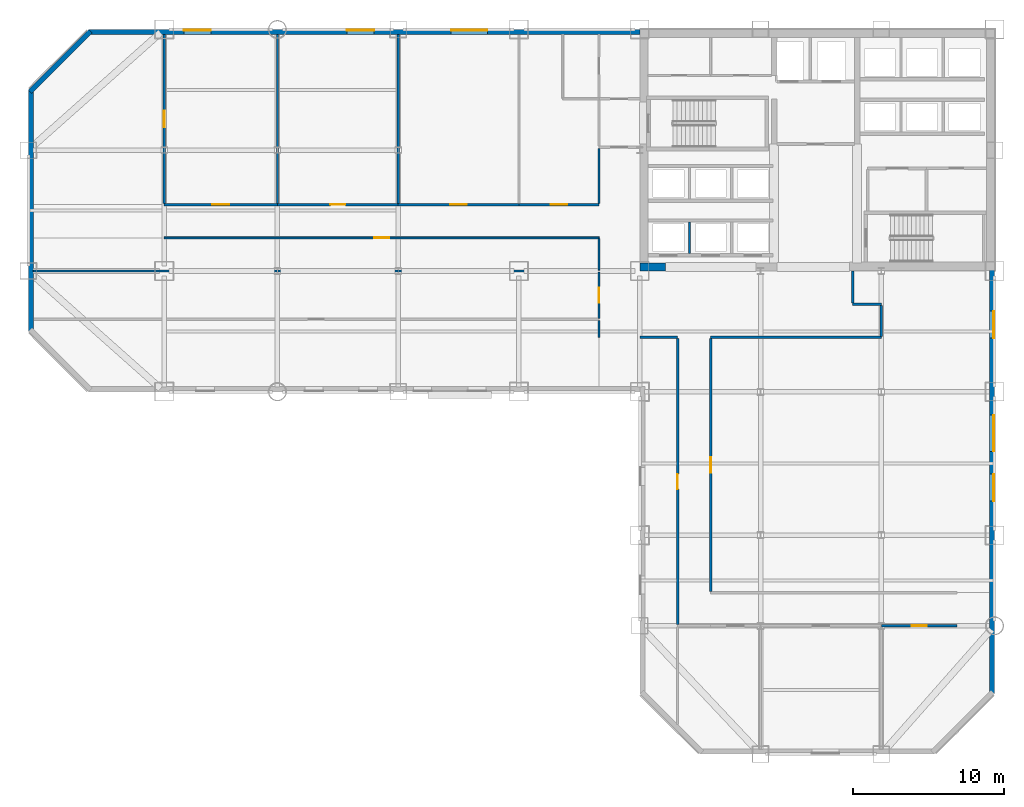
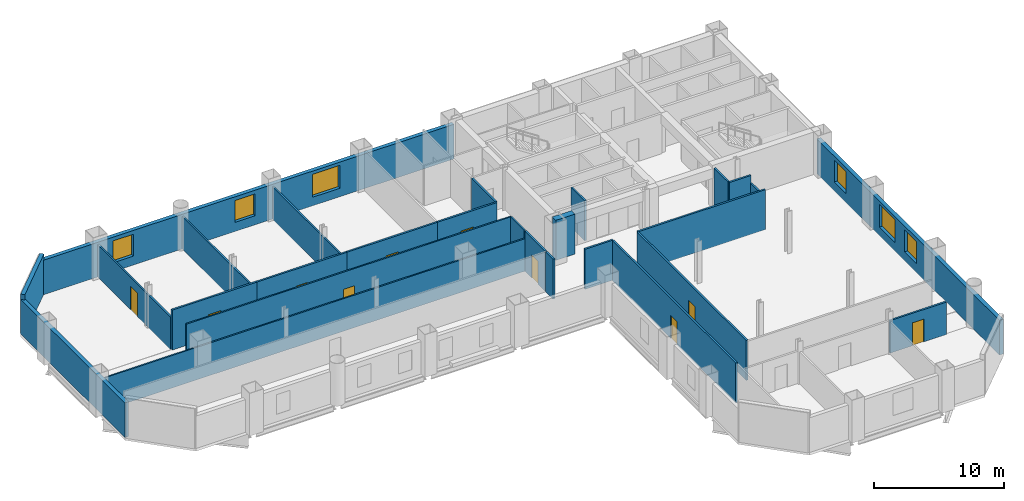
# One storey, part 5 of 9: 27 walls, 10 doors, 6 windows, 16 openings.
"""IFC4 building model written with IfcOpenShell, lengths in metres."""

from ifc_helpers import new_model, si_unit, direction, frame, frame_2d, origin, place, context, subcontext, project, spatial, rectangle, extrude, material, layer, layer_set, type_object, element, fill, save


model = new_model("IFC4")

# Units and contexts
model_context = context("Model", 3, precision=1e-05, world=origin(), true_north=direction((0.0, 1.0)))
body_context = subcontext(model_context, "Body", "Model", "MODEL_VIEW")
ifc_project = project(units=[si_unit("LENGTHUNIT", "METRE"), si_unit("AREAUNIT", "SQUARE_METRE"), si_unit("VOLUMEUNIT", "CUBIC_METRE"), si_unit("PLANEANGLEUNIT", "RADIAN"), si_unit("MASSUNIT", "GRAM", prefix="KILO")], contexts=[model_context])

# Site, building, storey
site_placement = place(None, origin())
site = spatial("IfcSite", under=ifc_project, at=site_placement, CompositionType="ELEMENT")
building_placement = place(site_placement, origin())
building = spatial("IfcBuilding", under=site, at=building_placement, Name="Qianrong Seaharbour Tower", CompositionType="ELEMENT")
storey_placement = place(building_placement, frame((0.0, 0.0, 52.199951171875)))
storey = spatial("IfcBuildingStorey", under=building, at=storey_placement, Name="L12", CompositionType="ELEMENT", Elevation=52.199951171875)

# Wall
ifc_material_1 = material(Name="Concrete C70/85", Category="concrete")
ifc_layer_1 = layer(ifc_material_1, 0.5400390625)
ifc_layer_set_1 = layer_set([ifc_layer_1], Name="Concrete C70/85")
wall_type_1 = type_object("IfcWallType", Name="WALL-CORE-540", PredefinedType="SHEAR", material=ifc_layer_set_1)
wall_1_placement = place(storey_placement, frame((40.5, 36.27001953125, 0.0), z_axis=(0.0, 0.0, 1.0), x_axis=(1.0, 0.0, 0.0)))
element("IfcWall", 1, at=wall_1_placement, inside=storey, type_object=wall_type_1, Name="L12 South Core Shear Wall S1", PredefinedType="SHEAR", context=body_context, shape_type="SweptSolid", body=[
    extrude(rectangle(XDim=1.699951171875, YDim=0.5400390625, at=frame_2d((0.85009765625, 0.0))), origin(), (0.0, 0.0, 1.0), 3.75),
])

# Wall, opening, door
ifc_material_2 = material(Name="Fire-rated acoustic gypsum board partition")
ifc_layer_2 = layer(ifc_material_2, 0.1650390625)
ifc_layer_set_2 = layer_set([ifc_layer_2], Name="Fire-rated acoustic gypsum board partition")
wall_type_2 = type_object("IfcWallType", Name="WALL-CORR-PART-165", PredefinedType="PARTITIONING", material=ifc_layer_set_2)
wall_2_placement = place(storey_placement, frame((9.0, 40.39990234375, 0.0), z_axis=(0.0, 0.0, 1.0), x_axis=(1.0, 0.0, 0.0)))
wall_2 = element("IfcWall", 2, at=wall_2_placement, inside=storey, type_object=wall_type_2, Name="L12 Interior Partition Wall 015", PredefinedType="PARTITIONING", context=body_context, shape_type="SweptSolid", body=[
    extrude(rectangle(XDim=7.5, YDim=0.1650390625, at=frame_2d((3.75, 0.0))), origin(), (0.0, 0.0, 1.0), 3.75),
])
opening_1_placement = place(wall_2_placement, frame((3.199951171875, 0.0, 0.0)))
opening_1 = element("IfcOpeningElement", 3, at=opening_1_placement, cuts=wall_2, Name="Opening DM-01", PredefinedType="OPENING", context=body_context, shape_type="SweptSolid", body=[
    extrude(rectangle(XDim=1.10009765625, YDim=2.199951171875, at=frame_2d((0.550048828125, 1.10009765625))), frame((0.0, 0.092529296875, 0.0), z_axis=(0.0, -1.0, 0.0), x_axis=(1.0, 0.0, 0.0)), (0.0, 0.0, 1.0), 0.18505859375),
])
ifc_material_3 = material(Name="Acoustic timber and galvanized steel fire door assembly", Category="steel")
door_type_1 = type_object("IfcDoorType", Name="DOOR-MEET-1100x2200", OperationType="NOTDEFINED", PredefinedType="DOOR", material=ifc_material_3)
door_1_placement = place(opening_1_placement, origin())
door_1 = element("IfcDoor", 4, at=door_1_placement, inside=storey, type_object=door_type_1, Name="L12 Meeting Room 2 Door", OperationType="SINGLE_SWING_RIGHT", OverallHeight=2.199951171875, OverallWidth=1.10009765625, PredefinedType="DOOR", context=body_context, shape_type="SweptSolid", body=[
    extrude(rectangle(XDim=1.10009765625, YDim=2.199951171875, at=frame_2d((0.550048828125, 1.10009765625))), frame((0.0, 0.02490234375, 0.0), z_axis=(0.0, -1.0, 0.0), x_axis=(1.0, 0.0, 0.0)), (0.0, 0.0, 1.0), 0.050048828125),
])
fill(opening_1, door_1)

wall_3_placement = place(storey_placement, frame((16.5, 40.39990234375, 0.0), z_axis=(0.0, 0.0, 1.0), x_axis=(1.0, 0.0, 0.0)))
wall_3 = element("IfcWall", 5, at=wall_3_placement, inside=storey, type_object=wall_type_2, Name="L12 Interior Partition Wall 016", PredefinedType="PARTITIONING", context=body_context, shape_type="SweptSolid", body=[
    extrude(rectangle(XDim=8.0, YDim=0.1650390625, at=frame_2d((4.0, 0.0))), origin(), (0.0, 0.0, 1.0), 3.75),
])
opening_2_placement = place(wall_3_placement, frame((3.5, 0.0, 0.0)))
opening_2 = element("IfcOpeningElement", 6, at=opening_2_placement, cuts=wall_3, Name="Opening DO-01", PredefinedType="OPENING", context=body_context, shape_type="SweptSolid", body=[
    extrude(rectangle(XDim=1.0, YDim=2.14990234375, at=frame_2d((0.5, 1.074951171875))), frame((0.0, 0.092529296875, 0.0), z_axis=(0.0, -1.0, 0.0), x_axis=(1.0, 0.0, 0.0)), (0.0, 0.0, 1.0), 0.18505859375),
])
door_type_2 = type_object("IfcDoorType", Name="DOOR-OFFICE-1000x2150", OperationType="NOTDEFINED", PredefinedType="DOOR", material=ifc_material_3)
door_2_placement = place(opening_2_placement, origin())
door_2 = element("IfcDoor", 7, at=door_2_placement, inside=storey, type_object=door_type_2, Name="L12 Project Library 3 Door", OperationType="SINGLE_SWING_LEFT", OverallHeight=2.14990234375, OverallWidth=1.0, PredefinedType="DOOR", context=body_context, shape_type="SweptSolid", body=[
    extrude(rectangle(XDim=1.0, YDim=2.14990234375, at=frame_2d((0.5, 1.074951171875))), frame((0.0, 0.02490234375, 0.0), z_axis=(0.0, -1.0, 0.0), x_axis=(1.0, 0.0, 0.0)), (0.0, 0.0, 1.0), 0.050048828125),
])
fill(opening_2, door_2)

wall_4_placement = place(storey_placement, frame((24.5, 40.39990234375, 0.0), z_axis=(0.0, 0.0, 1.0), x_axis=(1.0, 0.0, 0.0)))
wall_4 = element("IfcWall", 8, at=wall_4_placement, inside=storey, type_object=wall_type_2, Name="L12 Interior Partition Wall 017", PredefinedType="PARTITIONING", context=body_context, shape_type="SweptSolid", body=[
    extrude(rectangle(XDim=8.0, YDim=0.1650390625, at=frame_2d((4.0, 0.0))), origin(), (0.0, 0.0, 1.0), 3.75),
])
opening_3_placement = place(wall_4_placement, frame((3.449951171875, 0.0, 0.0)))
opening_3 = element("IfcOpeningElement", 9, at=opening_3_placement, cuts=wall_4, Name="Opening DM-01", PredefinedType="OPENING", context=body_context, shape_type="SweptSolid", body=[
    extrude(rectangle(XDim=1.10009765625, YDim=2.199951171875, at=frame_2d((0.550048828125, 1.10009765625))), frame((0.0, 0.092529296875, 0.0), z_axis=(0.0, -1.0, 0.0), x_axis=(1.0, 0.0, 0.0)), (0.0, 0.0, 1.0), 0.18505859375),
])
door_3_placement = place(opening_3_placement, origin())
door_3 = element("IfcDoor", 10, at=door_3_placement, inside=storey, type_object=door_type_1, Name="L12 Training Seminar Room 4 Door", OperationType="SINGLE_SWING_RIGHT", OverallHeight=2.199951171875, OverallWidth=1.10009765625, PredefinedType="DOOR", context=body_context, shape_type="SweptSolid", body=[
    extrude(rectangle(XDim=1.10009765625, YDim=2.199951171875, at=frame_2d((0.550048828125, 1.10009765625))), frame((0.0, 0.02490234375, 0.0), z_axis=(0.0, -1.0, 0.0), x_axis=(1.0, 0.0, 0.0)), (0.0, 0.0, 1.0), 0.050048828125),
])
fill(opening_3, door_3)

wall_5_placement = place(storey_placement, frame((32.5, 40.39990234375, 0.0), z_axis=(0.0, 0.0, 1.0), x_axis=(1.0, 0.0, 0.0)))
wall_5 = element("IfcWall", 11, at=wall_5_placement, inside=storey, type_object=wall_type_2, Name="L12 Interior Partition Wall 018", PredefinedType="PARTITIONING", context=body_context, shape_type="SweptSolid", body=[
    extrude(rectangle(XDim=5.300048828125, YDim=0.1650390625, at=frame_2d((2.64990234375, 0.0))), origin(), (0.0, 0.0, 1.0), 3.75),
])
opening_4_placement = place(wall_5_placement, frame((2.10009765625, 0.0, 0.0)))
opening_4 = element("IfcOpeningElement", 12, at=opening_4_placement, cuts=wall_5, Name="Opening DM-01", PredefinedType="OPENING", context=body_context, shape_type="SweptSolid", body=[
    extrude(rectangle(XDim=1.10009765625, YDim=2.199951171875, at=frame_2d((0.550048828125, 1.10009765625))), frame((0.0, 0.092529296875, 0.0), z_axis=(0.0, -1.0, 0.0), x_axis=(1.0, 0.0, 0.0)), (0.0, 0.0, 1.0), 0.18505859375),
])
door_4_placement = place(opening_4_placement, origin())
door_4 = element("IfcDoor", 13, at=door_4_placement, inside=storey, type_object=door_type_1, Name="L12 Boardroom 5 Door", OperationType="SINGLE_SWING_LEFT", OverallHeight=2.199951171875, OverallWidth=1.10009765625, PredefinedType="DOOR", context=body_context, shape_type="SweptSolid", body=[
    extrude(rectangle(XDim=1.10009765625, YDim=2.199951171875, at=frame_2d((0.550048828125, 1.10009765625))), frame((0.0, 0.02490234375, 0.0), z_axis=(0.0, -1.0, 0.0), x_axis=(1.0, 0.0, 0.0)), (0.0, 0.0, 1.0), 0.050048828125),
])
fill(opening_4, door_4)

# Walls
wall_6_placement = place(storey_placement, frame((37.800048828125, 40.474609375, 0.0), z_axis=(0.0, 0.0, 1.0), x_axis=(0.0, 1.0, 0.0)))
element("IfcWall", 14, at=wall_6_placement, inside=storey, type_object=wall_type_2, Name="L12 Interior Partition Wall 020", PredefinedType="PARTITIONING", context=body_context, shape_type="SweptSolid", body=[
    extrude(rectangle(XDim=3.65087890625, YDim=0.1650390625, at=frame_2d((1.825439453125, 0.0))), origin(), (0.0, 0.0, 1.0), 3.75),
])
wall_7_placement = place(storey_placement, frame((37.800048828125, 31.60009765625, 0.0), z_axis=(0.0, 0.0, 1.0), x_axis=(0.0, 1.0, 0.0)))
element("IfcWall", 15, at=wall_7_placement, inside=storey, type_object=wall_type_2, Name="L12 Interior Partition Wall 021", PredefinedType="PARTITIONING", context=body_context, shape_type="SweptSolid", body=[
    extrude(rectangle(XDim=1.135498046875, YDim=0.1650390625, at=frame_2d((0.56787109375, 0.0))), origin(), (0.0, 0.0, 1.0), 3.75),
])

# Wall, opening, door
wall_8_placement = place(storey_placement, frame((37.800048828125, 32.864501953125, 0.0), z_axis=(0.0, 0.0, 1.0), x_axis=(0.0, 1.0, 0.0)))
wall_8 = element("IfcWall", 16, at=wall_8_placement, inside=storey, type_object=wall_type_2, Name="L12 Interior Partition Wall 022", PredefinedType="PARTITIONING", context=body_context, shape_type="SweptSolid", body=[
    extrude(rectangle(XDim=3.07861328125, YDim=0.1650390625, at=frame_2d((1.539306640625, 0.0))), origin(), (0.0, 0.0, 1.0), 3.75),
])
opening_5_placement = place(wall_8_placement, frame((1.039306640625, 0.0, 0.0)))
opening_5 = element("IfcOpeningElement", 17, at=opening_5_placement, cuts=wall_8, Name="Opening DO-01", PredefinedType="OPENING", context=body_context, shape_type="SweptSolid", body=[
    extrude(rectangle(XDim=1.0, YDim=2.14990234375, at=frame_2d((0.5, 1.074951171875))), frame((0.0, 0.092529296875, 0.0), z_axis=(0.0, -1.0, 0.0), x_axis=(1.0, 0.0, 0.0)), (0.0, 0.0, 1.0), 0.18505859375),
])
door_5_placement = place(opening_5_placement, origin())
door_5 = element("IfcDoor", 18, at=door_5_placement, inside=storey, type_object=door_type_2, Name="L12 Division Conference Gallery 2 Door", OperationType="SINGLE_SWING_LEFT", OverallHeight=2.14990234375, OverallWidth=1.0, PredefinedType="DOOR", context=body_context, shape_type="SweptSolid", body=[
    extrude(rectangle(XDim=1.0, YDim=2.14990234375, at=frame_2d((0.5, 1.074951171875))), frame((0.0, 0.02490234375, 0.0), z_axis=(0.0, -1.0, 0.0), x_axis=(1.0, 0.0, 0.0)), (0.0, 0.0, 1.0), 0.050048828125),
])
fill(opening_5, door_5)

# Walls
wall_9_placement = place(storey_placement, frame((54.60009765625, 36.0, 0.0), z_axis=(0.0, 0.0, 1.0), x_axis=(0.0, -1.0, 0.0)))
element("IfcWall", 19, at=wall_9_placement, inside=storey, type_object=wall_type_2, Name="L12 Interior Partition Wall 024", PredefinedType="PARTITIONING", context=body_context, shape_type="SweptSolid", body=[
    extrude(rectangle(XDim=2.12548828125, YDim=0.1650390625, at=frame_2d((1.062744140625, 0.0))), origin(), (0.0, 0.0, 1.0), 3.75),
])
wall_10_placement = place(storey_placement, frame((54.60009765625, 33.800048828125, 0.0), z_axis=(0.0, 0.0, 1.0), x_axis=(1.0, 0.0, 0.0)))
element("IfcWall", 20, at=wall_10_placement, inside=storey, type_object=wall_type_2, Name="L12 Interior Partition Wall 025", PredefinedType="PARTITIONING", context=body_context, shape_type="SweptSolid", body=[
    extrude(rectangle(XDim=1.89990234375, YDim=0.1650390625, at=frame_2d((0.949951171875, 0.0))), origin(), (0.0, 0.0, 1.0), 3.75),
])
wall_11_placement = place(storey_placement, frame((56.5, 33.7255859375, 0.0), z_axis=(0.0, 0.0, 1.0), x_axis=(0.0, -1.0, 0.0)))
element("IfcWall", 21, at=wall_11_placement, inside=storey, type_object=wall_type_2, Name="L12 Interior Partition Wall 026", PredefinedType="PARTITIONING", context=body_context, shape_type="SweptSolid", body=[
    extrude(rectangle(XDim=2.051025390625, YDim=0.1650390625, at=frame_2d((1.025390625, 0.0))), origin(), (0.0, 0.0, 1.0), 3.0419921875),
])
wall_12_placement = place(storey_placement, frame((56.5, 31.60009765625, 0.0), z_axis=(0.0, 0.0, 1.0), x_axis=(-1.0, 0.0, 0.0)))
element("IfcWall", 22, at=wall_12_placement, inside=storey, type_object=wall_type_2, Name="L12 Interior Partition Wall 027", PredefinedType="PARTITIONING", context=body_context, shape_type="SweptSolid", body=[
    extrude(rectangle(XDim=11.300048828125, YDim=0.1650390625, at=frame_2d((5.64990234375, 0.0))), origin(), (0.0, 0.0, 1.0), 3.75),
])
wall_13_placement = place(storey_placement, frame((43.0, 31.60009765625, 0.0), z_axis=(0.0, 0.0, 1.0), x_axis=(-1.0, 0.0, 0.0)))
element("IfcWall", 23, at=wall_13_placement, inside=storey, type_object=wall_type_2, Name="L12 Interior Partition Wall 028", PredefinedType="PARTITIONING", context=body_context, shape_type="SweptSolid", body=[
    extrude(rectangle(XDim=2.5, YDim=0.1650390625, at=frame_2d((1.25, 0.0))), origin(), (0.0, 0.0, 1.0), 3.75),
])

# Wall, opening, door
wall_14_placement = place(storey_placement, frame((45.199951171875, 31.525390625, 0.0), z_axis=(0.0, 0.0, 1.0), x_axis=(0.0, -1.0, 0.0)))
wall_14 = element("IfcWall", 24, at=wall_14_placement, inside=storey, type_object=wall_type_2, Name="L12 Interior Partition Wall 029", PredefinedType="PARTITIONING", context=body_context, shape_type="SweptSolid", body=[
    extrude(rectangle(XDim=16.7509765625, YDim=0.1650390625, at=frame_2d((8.37548828125, 0.0))), origin(), (0.0, 0.0, 1.0), 3.75),
])
opening_6_placement = place(wall_14_placement, frame((7.87548828125, 0.0, 0.0)))
opening_6 = element("IfcOpeningElement", 25, at=opening_6_placement, cuts=wall_14, Name="Opening DO-01", PredefinedType="OPENING", context=body_context, shape_type="SweptSolid", body=[
    extrude(rectangle(XDim=1.0, YDim=2.14990234375, at=frame_2d((0.5, 1.074951171875))), frame((0.0, 0.092529296875, 0.0), z_axis=(0.0, -1.0, 0.0), x_axis=(1.0, 0.0, 0.0)), (0.0, 0.0, 1.0), 0.18505859375),
])
door_6_placement = place(opening_6_placement, origin())
door_6 = element("IfcDoor", 26, at=door_6_placement, inside=storey, type_object=door_type_2, Name="L12 South Wing Open-Plan Office Door", OperationType="SINGLE_SWING_LEFT", OverallHeight=2.14990234375, OverallWidth=1.0, PredefinedType="DOOR", context=body_context, shape_type="SweptSolid", body=[
    extrude(rectangle(XDim=1.0, YDim=2.14990234375, at=frame_2d((0.5, 1.074951171875))), frame((0.0, 0.02490234375, 0.0), z_axis=(0.0, -1.0, 0.0), x_axis=(1.0, 0.0, 0.0)), (0.0, 0.0, 1.0), 0.050048828125),
])
fill(opening_6, door_6)

wall_15_placement = place(storey_placement, frame((43.0, 12.574462890625, 0.0), z_axis=(0.0, 0.0, 1.0), x_axis=(0.0, 1.0, 0.0)))
wall_15 = element("IfcWall", 27, at=wall_15_placement, inside=storey, type_object=wall_type_2, Name="L12 Interior Partition Wall 030", PredefinedType="PARTITIONING", context=body_context, shape_type="SweptSolid", body=[
    extrude(rectangle(XDim=18.950927734375, YDim=0.1650390625, at=frame_2d((9.4755859375, 0.0))), origin(), (0.0, 0.0, 1.0), 3.75),
])
opening_7_placement = place(wall_15_placement, frame((8.9755859375, 0.0, 0.0)))
opening_7 = element("IfcOpeningElement", 28, at=opening_7_placement, cuts=wall_15, Name="Opening DO-01", PredefinedType="OPENING", context=body_context, shape_type="SweptSolid", body=[
    extrude(rectangle(XDim=1.0, YDim=2.14990234375, at=frame_2d((0.5, 1.074951171875))), frame((0.0, 0.092529296875, 0.0), z_axis=(0.0, -1.0, 0.0), x_axis=(1.0, 0.0, 0.0)), (0.0, 0.0, 1.0), 0.18505859375),
])
door_7_placement = place(opening_7_placement, origin())
door_7 = element("IfcDoor", 29, at=door_7_placement, inside=storey, type_object=door_type_2, Name="L12 West Spine Open-Plan Office Door", OperationType="SINGLE_SWING_RIGHT", OverallHeight=2.14990234375, OverallWidth=1.0, PredefinedType="DOOR", context=body_context, shape_type="SweptSolid", body=[
    extrude(rectangle(XDim=1.0, YDim=2.14990234375, at=frame_2d((0.5, 1.074951171875))), frame((0.0, 0.02490234375, 0.0), z_axis=(0.0, -1.0, 0.0), x_axis=(1.0, 0.0, 0.0)), (0.0, 0.0, 1.0), 0.050048828125),
])
fill(opening_7, door_7)

wall_16_placement = place(storey_placement, frame((61.5, 12.5, 0.0), z_axis=(0.0, 0.0, 1.0), x_axis=(-1.0, 0.0, 0.0)))
wall_16 = element("IfcWall", 30, at=wall_16_placement, inside=storey, type_object=wall_type_2, Name="L12 Interior Partition Wall 035", PredefinedType="PARTITIONING", context=body_context, shape_type="SweptSolid", body=[
    extrude(rectangle(XDim=5.0, YDim=0.1650390625, at=frame_2d((2.5, 0.0))), origin(), (0.0, 0.0, 1.0), 3.0419921875),
])
opening_8_placement = place(wall_16_placement, frame((2.0, 0.0, 0.0)))
opening_8 = element("IfcOpeningElement", 31, at=opening_8_placement, cuts=wall_16, Name="Opening DO-01", PredefinedType="OPENING", context=body_context, shape_type="SweptSolid", body=[
    extrude(rectangle(XDim=1.0, YDim=2.14990234375, at=frame_2d((0.5, 1.074951171875))), frame((0.0, 0.092529296875, 0.0), z_axis=(0.0, -1.0, 0.0), x_axis=(1.0, 0.0, 0.0)), (0.0, 0.0, 1.0), 0.18505859375),
])
door_8_placement = place(opening_8_placement, origin())
door_8 = element("IfcDoor", 32, at=door_8_placement, inside=storey, type_object=door_type_2, Name="L12 Standards Library 3 Door", OperationType="SINGLE_SWING_LEFT", OverallHeight=2.14990234375, OverallWidth=1.0, PredefinedType="DOOR", context=body_context, shape_type="SweptSolid", body=[
    extrude(rectangle(XDim=1.0, YDim=2.14990234375, at=frame_2d((0.5, 1.074951171875))), frame((0.0, 0.02490234375, 0.0), z_axis=(0.0, -1.0, 0.0), x_axis=(1.0, 0.0, 0.0)), (0.0, 0.0, 1.0), 0.050048828125),
])
fill(opening_8, door_8)

# Walls
ifc_material_4 = material(Name="Unitised buff brick on Precast concrete C45/55", Category="masonry")
ifc_layer_3 = layer(ifc_material_4, 0.340087890625)
ifc_layer_set_3 = layer_set([ifc_layer_3], Name="Unitised buff brick on Precast concrete C45/55")
wall_type_3 = type_object("IfcWallType", Name="WALL-EXT-BRICK-BUFF-340", PredefinedType="SOLIDWALL", material=ifc_layer_set_3)
wall_17_placement = place(storey_placement, frame((0.169921875, 32.0, 0.0), z_axis=(0.0, 0.0, 1.0), x_axis=(0.0, 1.0, 0.0)))
element("IfcWall", 33, at=wall_17_placement, inside=storey, type_object=wall_type_3, Name="L12 Exterior Masonry Facade Wall WEST_TIP", PredefinedType="SOLIDWALL", context=body_context, shape_type="SweptSolid", body=[
    extrude(rectangle(XDim=16.0, YDim=0.340087890625, at=frame_2d((8.0, 0.0))), origin(), (0.0, 0.0, 1.0), 3.25),
])
wall_18_placement = place(storey_placement, frame((0.1201171875, 47.8798828125, 0.0), z_axis=(0.0, 0.0, 1.0), x_axis=(0.707106781187, 0.707106781187, 0.0)))
element("IfcWall", 34, at=wall_18_placement, inside=storey, type_object=wall_type_3, Name="L12 Exterior Masonry Facade Wall E04", PredefinedType="SOLIDWALL", context=body_context, shape_type="SweptSolid", body=[
    extrude(rectangle(XDim=5.65673828125, YDim=0.340087890625, at=frame_2d((2.828369140625, 0.0))), origin(), (0.0, 0.0, 1.0), 3.75),
])

# Wall, openings, windows
wall_19_placement = place(storey_placement, frame((4.0, 51.830078125, 0.0), z_axis=(0.0, 0.0, 1.0), x_axis=(1.0, 0.0, 0.0)))
wall_19 = element("IfcWall", 35, at=wall_19_placement, inside=storey, type_object=wall_type_3, Name="L12 Exterior Masonry Facade Wall NORTH_WING", PredefinedType="SOLIDWALL", context=body_context, shape_type="SweptSolid", body=[
    extrude(rectangle(XDim=36.52001953125, YDim=0.340087890625, at=frame_2d((18.260009765625, 0.0))), origin(), (0.0, 0.0, 1.0), 3.25),
])
opening_9_placement = place(wall_19_placement, frame((6.300048828125, 0.0, 0.85009765625)))
opening_9 = element("IfcOpeningElement", 36, at=opening_9_placement, cuts=wall_19, Name="Opening WN-05", PredefinedType="OPENING", context=body_context, shape_type="SweptSolid", body=[
    extrude(rectangle(XDim=1.800048828125, YDim=2.050048828125, at=frame_2d((0.89990234375, 1.02490234375))), frame((0.0, 0.18017578125, 0.0), z_axis=(0.0, -1.0, 0.0), x_axis=(1.0, 0.0, 0.0)), (0.0, 0.0, 1.0), 0.360107421875),
])
opening_10_placement = place(wall_19_placement, frame((17.10009765625, 0.0, 0.85009765625)))
opening_10 = element("IfcOpeningElement", 37, at=opening_10_placement, cuts=wall_19, Name="Opening WN-05", PredefinedType="OPENING", context=body_context, shape_type="SweptSolid", body=[
    extrude(rectangle(XDim=1.800048828125, YDim=2.050048828125, at=frame_2d((0.89990234375, 1.02490234375))), frame((0.0, 0.18017578125, 0.0), z_axis=(0.0, -1.0, 0.0), x_axis=(1.0, 0.0, 0.0)), (0.0, 0.0, 1.0), 0.360107421875),
])
opening_11_placement = place(wall_19_placement, frame((24.0, 0.0, 0.800048828125)))
opening_11 = element("IfcOpeningElement", 38, at=opening_11_placement, cuts=wall_19, Name="Opening WN-07", PredefinedType="OPENING", context=body_context, shape_type="SweptSolid", body=[
    extrude(rectangle(XDim=2.39990234375, YDim=2.14990234375, at=frame_2d((1.199951171875, 1.074951171875))), frame((0.0, 0.18017578125, 0.0), z_axis=(0.0, -1.0, 0.0), x_axis=(1.0, 0.0, 0.0)), (0.0, 0.0, 1.0), 0.360107421875),
])
ifc_material_5 = material(Name="Insulated low-e double glazing in thermally broken aluminium 6063-T6 frame", Category="aluminium")
window_type_1 = type_object("IfcWindowType", Name="WIN-PUNCH-1800x2050", PartitioningType="TRIPLE_PANEL_VERTICAL", PredefinedType="WINDOW", material=ifc_material_5)
window_1_placement = place(opening_9_placement, origin())
window_1 = element("IfcWindow", 39, at=window_1_placement, inside=storey, type_object=window_type_1, Name="L12 Deep-Set Punched Window 05.02", OverallHeight=2.050048828125, OverallWidth=1.800048828125, PartitioningType="TRIPLE_PANEL_VERTICAL", PredefinedType="WINDOW", context=body_context, shape_type="SweptSolid", body=[
    extrude(rectangle(XDim=1.800048828125, YDim=2.050048828125, at=frame_2d((0.89990234375, 1.02490234375))), frame((0.0, 0.150146484375, 0.0), z_axis=(0.0, -1.0, 0.0), x_axis=(1.0, 0.0, 0.0)), (0.0, 0.0, 1.0), 0.06005859375),
])
fill(opening_9, window_1)
window_2_placement = place(opening_10_placement, origin())
window_2 = element("IfcWindow", 40, at=window_2_placement, inside=storey, type_object=window_type_1, Name="L12 Deep-Set Punched Window 05.05", OverallHeight=2.050048828125, OverallWidth=1.800048828125, PartitioningType="TRIPLE_PANEL_VERTICAL", PredefinedType="WINDOW", context=body_context, shape_type="SweptSolid", body=[
    extrude(rectangle(XDim=1.800048828125, YDim=2.050048828125, at=frame_2d((0.89990234375, 1.02490234375))), frame((0.0, 0.150146484375, 0.0), z_axis=(0.0, -1.0, 0.0), x_axis=(1.0, 0.0, 0.0)), (0.0, 0.0, 1.0), 0.06005859375),
])
fill(opening_10, window_2)
window_type_2 = type_object("IfcWindowType", Name="WIN-PUNCH-2400x2150", PartitioningType="TRIPLE_PANEL_VERTICAL", PredefinedType="WINDOW", material=ifc_material_5)
window_3_placement = place(opening_11_placement, origin())
window_3 = element("IfcWindow", 41, at=window_3_placement, inside=storey, type_object=window_type_2, Name="L12 Deep-Set Punched Window 05.07", OverallHeight=2.14990234375, OverallWidth=2.39990234375, PartitioningType="TRIPLE_PANEL_VERTICAL", PredefinedType="WINDOW", context=body_context, shape_type="SweptSolid", body=[
    extrude(rectangle(XDim=2.39990234375, YDim=2.14990234375, at=frame_2d((1.199951171875, 1.074951171875))), frame((0.0, 0.150146484375, 0.0), z_axis=(0.0, -1.0, 0.0), x_axis=(1.0, 0.0, 0.0)), (0.0, 0.0, 1.0), 0.06005859375),
])
fill(opening_11, window_3)

wall_20_placement = place(storey_placement, frame((63.830078125, 36.050048828125, 0.0), z_axis=(0.0, 0.0, 1.0), x_axis=(0.0, -1.0, 0.0)))
wall_20 = element("IfcWall", 42, at=wall_20_placement, inside=storey, type_object=wall_type_3, Name="L12 Exterior Masonry Facade Wall EAST_WING", PredefinedType="SOLIDWALL", context=body_context, shape_type="SweptSolid", body=[
    extrude(rectangle(XDim=28.050048828125, YDim=0.340087890625, at=frame_2d((14.02490234375, 0.0))), origin(), (0.0, 0.0, 1.0), 3.25),
])
opening_12_placement = place(wall_20_placement, frame((2.699951171875, 0.0, 0.85009765625)))
opening_12 = element("IfcOpeningElement", 43, at=opening_12_placement, cuts=wall_20, Name="Opening WN-05", PredefinedType="OPENING", context=body_context, shape_type="SweptSolid", body=[
    extrude(rectangle(XDim=1.800048828125, YDim=2.050048828125, at=frame_2d((0.89990234375, 1.02490234375))), frame((0.0, 0.18017578125, 0.0), z_axis=(0.0, -1.0, 0.0), x_axis=(1.0, 0.0, 0.0)), (0.0, 0.0, 1.0), 0.360107421875),
])
opening_13_placement = place(wall_20_placement, frame((9.60009765625, 0.0, 0.800048828125)))
opening_13 = element("IfcOpeningElement", 44, at=opening_13_placement, cuts=wall_20, Name="Opening WN-07", PredefinedType="OPENING", context=body_context, shape_type="SweptSolid", body=[
    extrude(rectangle(XDim=2.39990234375, YDim=2.14990234375, at=frame_2d((1.199951171875, 1.074951171875))), frame((0.0, 0.18017578125, 0.0), z_axis=(0.0, -1.0, 0.0), x_axis=(1.0, 0.0, 0.0)), (0.0, 0.0, 1.0), 0.360107421875),
])
opening_14_placement = place(wall_20_placement, frame((13.5, 0.0, 0.85009765625)))
opening_14 = element("IfcOpeningElement", 45, at=opening_14_placement, cuts=wall_20, Name="Opening WN-05", PredefinedType="OPENING", context=body_context, shape_type="SweptSolid", body=[
    extrude(rectangle(XDim=1.800048828125, YDim=2.050048828125, at=frame_2d((0.89990234375, 1.02490234375))), frame((0.0, 0.18017578125, 0.0), z_axis=(0.0, -1.0, 0.0), x_axis=(1.0, 0.0, 0.0)), (0.0, 0.0, 1.0), 0.360107421875),
])
window_4_placement = place(opening_12_placement, origin())
window_4 = element("IfcWindow", 46, at=window_4_placement, inside=storey, type_object=window_type_1, Name="L12 Deep-Set Punched Window 06.01", OverallHeight=2.050048828125, OverallWidth=1.800048828125, PartitioningType="TRIPLE_PANEL_VERTICAL", PredefinedType="WINDOW", context=body_context, shape_type="SweptSolid", body=[
    extrude(rectangle(XDim=1.800048828125, YDim=2.050048828125, at=frame_2d((0.89990234375, 1.02490234375))), frame((0.0, 0.150146484375, 0.0), z_axis=(0.0, -1.0, 0.0), x_axis=(1.0, 0.0, 0.0)), (0.0, 0.0, 1.0), 0.06005859375),
])
fill(opening_12, window_4)
window_5_placement = place(opening_14_placement, origin())
window_5 = element("IfcWindow", 47, at=window_5_placement, inside=storey, type_object=window_type_1, Name="L12 Deep-Set Punched Window 06.04", OverallHeight=2.050048828125, OverallWidth=1.800048828125, PartitioningType="TRIPLE_PANEL_VERTICAL", PredefinedType="WINDOW", context=body_context, shape_type="SweptSolid", body=[
    extrude(rectangle(XDim=1.800048828125, YDim=2.050048828125, at=frame_2d((0.89990234375, 1.02490234375))), frame((0.0, 0.150146484375, 0.0), z_axis=(0.0, -1.0, 0.0), x_axis=(1.0, 0.0, 0.0)), (0.0, 0.0, 1.0), 0.06005859375),
])
fill(opening_14, window_5)
window_6_placement = place(opening_13_placement, origin())
window_6 = element("IfcWindow", 48, at=window_6_placement, inside=storey, type_object=window_type_2, Name="L12 Deep-Set Punched Window 06.03", OverallHeight=2.14990234375, OverallWidth=2.39990234375, PartitioningType="TRIPLE_PANEL_VERTICAL", PredefinedType="WINDOW", context=body_context, shape_type="SweptSolid", body=[
    extrude(rectangle(XDim=2.39990234375, YDim=2.14990234375, at=frame_2d((1.199951171875, 1.074951171875))), frame((0.0, 0.150146484375, 0.0), z_axis=(0.0, -1.0, 0.0), x_axis=(1.0, 0.0, 0.0)), (0.0, 0.0, 1.0), 0.06005859375),
])
fill(opening_13, window_6)

# Wall, opening, door
ifc_material_6 = material(Name="Acoustic gypsum board stud partition")
ifc_layer_4 = layer(ifc_material_6, 0.14501953125)
ifc_layer_set_4 = layer_set([ifc_layer_4], Name="Acoustic gypsum board stud partition")
wall_type_4 = type_object("IfcWallType", Name="WALL-OFFICE-PART-145", PredefinedType="PARTITIONING", material=ifc_layer_set_4)
wall_21_placement = place(storey_placement, frame((9.0, 51.66796875, 0.0), z_axis=(0.0, 0.0, 1.0), x_axis=(0.0, -1.0, 0.0)))
wall_21 = element("IfcWall", 49, at=wall_21_placement, inside=storey, type_object=wall_type_4, Name="L12 Interior Partition Wall 037", PredefinedType="PARTITIONING", context=body_context, shape_type="SweptSolid", body=[
    extrude(rectangle(XDim=11.193359375, YDim=0.14501953125, at=frame_2d((5.5966796875, 0.0))), origin(), (0.0, 0.0, 1.0), 3.0419921875),
])
opening_15_placement = place(wall_21_placement, frame((5.046875, 0.0, 0.0)))
opening_15 = element("IfcOpeningElement", 50, at=opening_15_placement, cuts=wall_21, Name="Opening DM-01", PredefinedType="OPENING", context=body_context, shape_type="SweptSolid", body=[
    extrude(rectangle(XDim=1.10009765625, YDim=2.199951171875, at=frame_2d((0.550048828125, 1.10009765625))), frame((0.0, 0.08251953125, 0.0), z_axis=(0.0, -1.0, 0.0), x_axis=(1.0, 0.0, 0.0)), (0.0, 0.0, 1.0), 0.1650390625),
])
door_9_placement = place(opening_15_placement, origin())
door_9 = element("IfcDoor", 51, at=door_9_placement, inside=storey, type_object=door_type_1, Name="L12 Boardroom 1 Door", OperationType="SINGLE_SWING_LEFT", OverallHeight=2.199951171875, OverallWidth=1.10009765625, PredefinedType="DOOR", context=body_context, shape_type="SweptSolid", body=[
    extrude(rectangle(XDim=1.10009765625, YDim=2.199951171875, at=frame_2d((0.550048828125, 1.10009765625))), frame((0.0, 0.02490234375, 0.0), z_axis=(0.0, -1.0, 0.0), x_axis=(1.0, 0.0, 0.0)), (0.0, 0.0, 1.0), 0.050048828125),
])
fill(opening_15, door_9)

# Walls
for number, where, z_axis, x_axis, name in (
    (52, (16.5, 51.66796875, 0.0), (0.0, 0.0, 1.0), (0.0, -1.0, 0.0), "L12 Interior Partition Wall 038"),
    (53, (24.5, 51.66796875, 0.0), (0.0, 0.0, 1.0), (0.0, -1.0, 0.0), "L12 Interior Partition Wall 039"),
):
    element("IfcWall", number, at=place(storey_placement, frame(where, z_axis=z_axis, x_axis=x_axis)), inside=storey, type_object=wall_type_4, Name=name, PredefinedType="PARTITIONING", context=body_context, shape_type="SweptSolid", body=[
        extrude(rectangle(XDim=11.193359375, YDim=0.14501953125, at=frame_2d((5.5966796875, 0.0))), origin(), (0.0, 0.0, 1.0), 3.0419921875),
    ])
ifc_material_7 = material(Name="Fire-rated gypsum board on steel studs", Category="steel")
ifc_layer_5 = layer(ifc_material_7, 0.14990234375)
ifc_layer_set_5 = layer_set([ifc_layer_5], Name="Fire-rated gypsum board on steel studs")
wall_type_5 = type_object("IfcWallType", Name="WALL-SHAFT-DIV-150", PredefinedType="PARTITIONING", material=ifc_layer_set_5)
wall_22_placement = place(storey_placement, frame((43.800048828125, 37.159912109375, 0.0), z_axis=(0.0, 0.0, 1.0), x_axis=(0.0, 1.0, 0.0)))
element("IfcWall", 54, at=wall_22_placement, inside=storey, type_object=wall_type_5, Name="L12 P1 Lift Hoistway Divider 2", PredefinedType="PARTITIONING", context=body_context, shape_type="SweptSolid", body=[
    extrude(rectangle(XDim=2.080078125, YDim=0.14990234375, at=frame_2d((1.0400390625, 0.0))), origin(), (0.0, 0.0, 1.0), 3.75),
])

# Wall, opening, door
ifc_material_8 = material(Name="Water-resistant cement board sanitary partition")
ifc_layer_6 = layer(ifc_material_8, 0.1298828125)
ifc_layer_set_6 = layer_set([ifc_layer_6], Name="Water-resistant cement board sanitary partition")
wall_type_6 = type_object("IfcWallType", Name="WALL-WET-PART-130", PredefinedType="PARTITIONING", material=ifc_layer_set_6)
wall_23_placement = place(storey_placement, frame((37.800048828125, 38.199951171875, 0.0), z_axis=(0.0, 0.0, 1.0), x_axis=(-1.0, 0.0, 0.0)))
wall_23 = element("IfcWall", 55, at=wall_23_placement, inside=storey, type_object=wall_type_6, Name="L12 Interior Partition Wall 019", PredefinedType="PARTITIONING", context=body_context, shape_type="SweptSolid", body=[
    extrude(rectangle(XDim=28.800048828125, YDim=0.1298828125, at=frame_2d((14.39990234375, 0.0))), origin(), (0.0, 0.0, 1.0), 3.75),
])
opening_16_placement = place(wall_23_placement, frame((13.89990234375, 0.0, 0.0)))
opening_16 = element("IfcOpeningElement", 56, at=opening_16_placement, cuts=wall_23, Name="Opening DO-01", PredefinedType="OPENING", context=body_context, shape_type="SweptSolid", body=[
    extrude(rectangle(XDim=1.0, YDim=2.14990234375, at=frame_2d((0.5, 1.074951171875))), frame((0.0, 0.074951171875, 0.0), z_axis=(0.0, -1.0, 0.0), x_axis=(1.0, 0.0, 0.0)), (0.0, 0.0, 1.0), 0.14990234375),
])
door_10_placement = place(opening_16_placement, origin())
door_10 = element("IfcDoor", 57, at=door_10_placement, inside=storey, type_object=door_type_2, Name="L12 Wet Pantry 3 Door", OperationType="SINGLE_SWING_RIGHT", OverallHeight=2.14990234375, OverallWidth=1.0, PredefinedType="DOOR", context=body_context, shape_type="SweptSolid", body=[
    extrude(rectangle(XDim=1.0, YDim=2.14990234375, at=frame_2d((0.5, 1.074951171875))), frame((0.0, 0.02490234375, 0.0), z_axis=(0.0, -1.0, 0.0), x_axis=(1.0, 0.0, 0.0)), (0.0, 0.0, 1.0), 0.050048828125),
])
fill(opening_16, door_10)

# Walls
wall_24_placement = place(storey_placement, frame((37.800048828125, 36.056884765625, 0.0), z_axis=(0.0, 0.0, 1.0), x_axis=(0.0, 1.0, 0.0)))
element("IfcWall", 58, at=wall_24_placement, inside=storey, type_object=wall_type_6, Name="L12 Interior Partition Wall 023", PredefinedType="PARTITIONING", context=body_context, shape_type="SweptSolid", body=[
    extrude(rectangle(XDim=2.086181640625, YDim=0.1298828125, at=frame_2d((1.04296875, 0.0))), origin(), (0.0, 0.0, 1.0), 3.75),
])
wall_25_placement = place(storey_placement, frame((0.33203125, 36.0, 0.0), z_axis=(0.0, 0.0, 1.0), x_axis=(1.0, 0.0, 0.0)))
element("IfcWall", 59, at=wall_25_placement, inside=storey, type_object=wall_type_6, Name="L12 Interior Partition Wall 042", PredefinedType="PARTITIONING", context=body_context, shape_type="SweptSolid", body=[
    extrude(rectangle(XDim=37.468017578125, YDim=0.1298828125, at=frame_2d((18.73388671875, 0.0))), origin(), (0.0, 0.0, 1.0), 3.0419921875),
])

save(model, "model.ifc")
